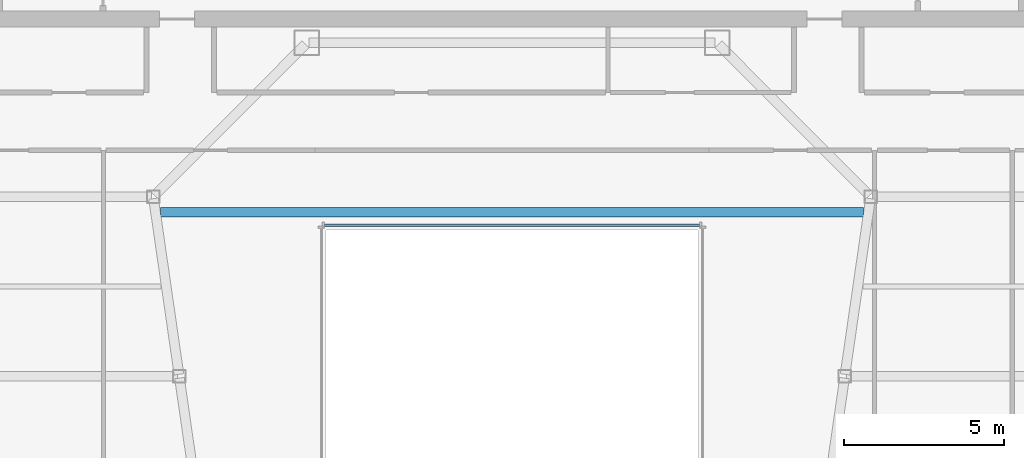
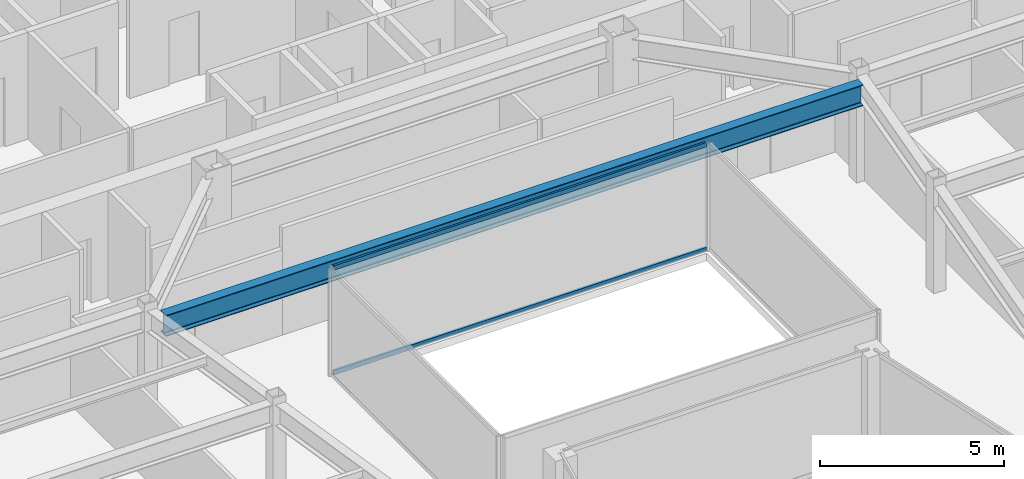
# One storey, part 14 of 36: 2 members, 1 beam, 1 element without a shape of its own.
"""IFC4 building model written with IfcOpenShell, lengths in metres."""

import ifcopenshell
import ifcopenshell.guid

model = None  # the IFC model being written
_history = None  # IfcOwnerHistory: only IFC2X3 demands one
_inside = {}  # id of a spatial element -> (the spatial element, [elements in it])
_under = {}  # id of a project, library or spatial element -> (it, [spatial elements below it])
_declared = {}  # id of a project -> (the project, [libraries it declares])
_typed = {}  # id of a type object -> (the type object, [elements of that type])
_made_of = {}  # id of a material, layer set ... -> (it, [elements and type objects made of it])


def new_model(schema):
    """Start an empty IFC model of exactly this schema.

    Asked for "IFC4X3", IfcOpenShell would pick the latest addendum, in which some entities
    have other attributes; the version numbers below select the first issue.
    IFC2X3 requires an IfcOwnerHistory on every rooted entity: one is made here for all.
    """
    global model, _history
    if schema == "IFC4X3":
        model = ifcopenshell.file(schema_version=(4, 3, 0, 0))
    else:
        model = ifcopenshell.file(schema=schema)
    _inside.clear()
    _under.clear()
    _declared.clear()
    _typed.clear()
    _made_of.clear()
    _history = None
    if model.schema == "IFC2X3":
        org = make("IfcOrganization", Name="unknown")
        user = make(
            "IfcPersonAndOrganization",
            ThePerson=make("IfcPerson", FamilyName="unknown"),
            TheOrganization=org,
        )
        app = make(
            "IfcApplication",
            ApplicationDeveloper=org,
            Version="unknown",
            ApplicationFullName="unknown",
            ApplicationIdentifier="unknown",
        )
        _history = make(
            "IfcOwnerHistory",
            OwningUser=user,
            OwningApplication=app,
            ChangeAction="ADDED",
            CreationDate=0,
        )
    return model


def make(cls, **values):
    """One entity of the class cls with the attributes given. An attribute that is None is left unset."""
    return model.create_entity(
        cls, **{name: value for name, value in values.items() if value is not None}
    )


def rooted(cls, **values):
    """An entity with a GlobalId (a new one), such as an element, a storey or a relation."""
    return make(cls, GlobalId=ifcopenshell.guid.new(), OwnerHistory=_history, **values)


def si_unit(unit_type, name, prefix=None):
    """IfcSIUnit, for example si_unit("LENGTHUNIT", "METRE", prefix="MILLI")."""
    return make("IfcSIUnit", UnitType=unit_type, Prefix=prefix, Name=name)


def assignment(units):
    """IfcUnitAssignment: the units of a project."""
    return None if units is None else make("IfcUnitAssignment", Units=units)


def point(xyz):
    """IfcCartesianPoint."""
    return None if xyz is None else make("IfcCartesianPoint", Coordinates=xyz)


def direction(xyz):
    """IfcDirection."""
    return None if xyz is None else make("IfcDirection", DirectionRatios=xyz)


def frame(location, z_axis=None, x_axis=None):
    """IfcAxis2Placement3D, a coordinate frame: its origin and axes. An axis left out is left unset."""
    return make(
        "IfcAxis2Placement3D",
        Location=point(location),
        Axis=direction(z_axis),
        RefDirection=direction(x_axis),
    )


def frame_2d(location, x_axis=None):
    """IfcAxis2Placement2D, a coordinate frame in the plane: its origin and x axis."""
    return make(
        "IfcAxis2Placement2D", Location=point(location), RefDirection=direction(x_axis)
    )


def origin():
    """The frame at (0, 0, 0) with its axes left unset."""
    return frame((0.0, 0.0, 0.0))


def origin_2d():
    """The frame at (0, 0) in the plane with its x axis left unset."""
    return frame_2d((0.0, 0.0))


def place(relative_to, where):
    """IfcLocalPlacement: puts the frame where relative to a parent placement (None: the world)."""
    return make(
        "IfcLocalPlacement", PlacementRelTo=relative_to, RelativePlacement=where
    )


def context(
    kind, dimensions, precision=None, world=None, true_north=None, identifier=None
):
    """IfcGeometricRepresentationContext, for example the 3D "Model" context."""
    return make(
        "IfcGeometricRepresentationContext",
        ContextIdentifier=identifier,
        ContextType=kind,
        CoordinateSpaceDimension=dimensions,
        Precision=precision,
        WorldCoordinateSystem=world,
        TrueNorth=true_north,
    )


def subcontext(parent, identifier, kind, view, scale=None):
    """IfcGeometricRepresentationSubContext, for example "Body" below "Model"."""
    return make(
        "IfcGeometricRepresentationSubContext",
        ContextIdentifier=identifier,
        ContextType=kind,
        ParentContext=parent,
        TargetScale=scale,
        TargetView=view,
    )


def project(units=None, contexts=None):
    """IfcProject with its units and contexts."""
    return rooted(
        "IfcProject",
        Name="project",
        RepresentationContexts=contexts,
        UnitsInContext=assignment(units),
    )


def spatial(cls, under=None, at=None, **own):
    """A site, building, storey or space (cls), placed at a placement, below another one or the project."""
    s = rooted(cls, ObjectPlacement=at, **own)
    if under is not None:
        _under.setdefault(under.id(), (under, []))[1].append(s)
    return s


def profile(cls, at=None, kind="AREA", **sizes):
    """A parametric profile (cls). Its sizes go by their IFC names, for example OverallWidth=200.0."""
    return make(cls, ProfileType=kind, Position=at, **sizes)


def hollow_rectangle(**sizes):
    """IfcRectangleHollowProfileDef."""
    return profile("IfcRectangleHollowProfileDef", **sizes)


def i_section(**sizes):
    """IfcIShapeProfileDef."""
    return profile("IfcIShapeProfileDef", **sizes)


def extrude(swept, where, along, depth):
    """IfcExtrudedAreaSolid: the profile swept, set in the frame where, extruded along a direction by depth."""
    return make(
        "IfcExtrudedAreaSolid",
        SweptArea=swept,
        Position=where,
        ExtrudedDirection=direction(along),
        Depth=depth,
    )


def shape(context_of_items, identifier, shape_type, items):
    """IfcShapeRepresentation: the items that make up one representation, for example the "Body"."""
    return make(
        "IfcShapeRepresentation",
        ContextOfItems=context_of_items,
        RepresentationIdentifier=identifier,
        RepresentationType=shape_type,
        Items=items,
    )


def material(Name=None, Category=None):
    """IfcMaterial."""
    return make("IfcMaterial", Name=Name, Category=Category)


def material_profile(
    of_material, cross_section, Name=None, Category=None, Priority=None
):
    """IfcMaterialProfile: a cross section and its material."""
    return make(
        "IfcMaterialProfile",
        Name=Name,
        Material=of_material,
        Profile=cross_section,
        Priority=Priority,
        Category=Category,
    )


def profile_set(profiles, Name=None, composite=None):
    """IfcMaterialProfileSet."""
    return make(
        "IfcMaterialProfileSet",
        Name=Name,
        MaterialProfiles=profiles,
        CompositeProfile=composite,
    )


def made_of(thing, what):
    """Note that an element or type object is made of a material, layer set ...; save() writes the relation."""
    if what is not None:
        _made_of.setdefault(what.id(), (what, []))[1].append(thing)
    return thing


def type_object(cls, material=None, **own):
    """A type object (cls), such as IfcWallType, which elements share."""
    return made_of(rooted(cls, **own), material)


def element(
    cls,
    number,
    at=None,
    inside=None,
    cuts=None,
    type_object=None,
    material=None,
    context=None,
    identifier="Body",
    shape_type=None,
    held_by="IfcProductDefinitionShape",
    body=None,
    shapes=None,
    **own,
):
    """One element of the class cls, such as IfcWall. Its Tag is "e" and its number.

    at: its placement. inside: the storey or other place that contains it. cuts: it is an
    opening in that element (IfcRelVoidsElement). A single representation is given by context,
    identifier, shape_type and body (its items); several are given by shapes. held_by: the class
    of the entity that holds the representations. save() writes the other relations.
    """
    e = rooted(cls, Tag="e%d" % number, ObjectPlacement=at, **own)
    if body is not None:
        shapes = [shape(context, identifier, shape_type, body)]
    if shapes is not None:
        e.Representation = make(held_by, Representations=shapes)
    if inside is not None:
        _inside.setdefault(inside.id(), (inside, []))[1].append(e)
    if cuts is not None:
        rooted(
            "IfcRelVoidsElement", RelatingBuildingElement=cuts, RelatedOpeningElement=e
        )
    if type_object is not None:
        _typed.setdefault(type_object.id(), (type_object, []))[1].append(e)
    return made_of(e, material)


def aggregate(whole, parts):
    """IfcRelAggregates: a whole, such as a stair, and the parts it consists of."""
    return rooted("IfcRelAggregates", RelatingObject=whole, RelatedObjects=parts)


def save(model, path):
    """Write the relations noted so far, then the file.

    IfcRelAggregates (storeys below a building ...), IfcRelContainedInSpatialStructure (elements
    in a storey), IfcRelDefinesByType, IfcRelAssociatesMaterial and IfcRelDeclares: one each for
    every whole, place, type object, material and project.
    """
    for whole, parts in _under.values():
        aggregate(whole, parts)
    for where, things in _inside.values():
        rooted(
            "IfcRelContainedInSpatialStructure",
            RelatedElements=things,
            RelatingStructure=where,
        )
    for kind, things in _typed.values():
        rooted("IfcRelDefinesByType", RelatedObjects=things, RelatingType=kind)
    for what, things in _made_of.values():
        rooted("IfcRelAssociatesMaterial", RelatedObjects=things, RelatingMaterial=what)
    for by, libraries in _declared.values():
        rooted("IfcRelDeclares", RelatingContext=by, RelatedDefinitions=libraries)
    model.write(path)


model = new_model("IFC4")

# Units and contexts
model_context = context("Model", 3, precision=1e-05, world=origin(), true_north=direction((0.0, 1.0)))
body_context = subcontext(model_context, "Body", "Model", "MODEL_VIEW")
ifc_project = project(units=[si_unit("LENGTHUNIT", "METRE"), si_unit("AREAUNIT", "SQUARE_METRE"), si_unit("VOLUMEUNIT", "CUBIC_METRE"), si_unit("PLANEANGLEUNIT", "RADIAN"), si_unit("MASSUNIT", "GRAM", prefix="KILO")], contexts=[model_context])

# Site, building, storey
site_placement = place(None, origin())
site = spatial("IfcSite", under=ifc_project, at=site_placement, CompositionType="ELEMENT")
building_placement = place(site_placement, origin())
building = spatial("IfcBuilding", under=site, at=building_placement, Name="Saevonmaru Cultural Tower", CompositionType="ELEMENT")
storey_placement = place(building_placement, frame((0.0, 0.0, 201.800048828125)))
storey = spatial("IfcBuildingStorey", under=building, at=storey_placement, Name="L46", CompositionType="ELEMENT", Elevation=201.800048828125)

# Beam
ifc_material_1 = material(Name="Steel SM355", Category="steel")
ifc_material_profile_1 = material_profile(ifc_material_1, i_section(OverallWidth=0.300048828125, OverallDepth=0.699951171875, WebThickness=0.012939453125, FlangeThickness=0.02392578125, FilletRadius=0.02587890625, at=origin_2d()), Name="H-700x300x13x24")
ifc_profile_set_1 = profile_set([ifc_material_profile_1], Name="Steel SM355")
beam_type = type_object("IfcBeamType", Name="BM-G-H700", PredefinedType="BEAM", material=ifc_profile_set_1)
beam_placement = place(storey_placement, frame((19.035400390625, 37.1201171875, 3.199951171875), z_axis=(1.0, 0.0, 0.0), x_axis=(0.0, 1.0, 0.0)))
element("IfcBeam", 1, at=beam_placement, inside=storey, type_object=beam_type, Name="L46 Central Link Girder", PredefinedType="BEAM", context=body_context, shape_type="SweptSolid", body=[
    extrude(i_section(OverallWidth=0.300048828125, OverallDepth=0.699951171875, WebThickness=0.012939453125, FlangeThickness=0.02392578125, FilletRadius=0.02587890625, at=origin_2d()), origin(), (0.0, 0.0, 1.0), 21.92919921875),
])

# Curtain wall, members
ifc_material_2 = material(Name="Satin Bronze Anodised Aluminium", Category="aluminium")
curtain_wall_type = type_object("IfcCurtainWallType", Name="CW-ATR-GLZ", PredefinedType="NOTDEFINED", material=ifc_material_2)
curtain_wall_placement = place(storey_placement, origin())
curtain_wall = element("IfcCurtainWall", 2, at=curtain_wall_placement, inside=storey, type_object=curtain_wall_type, Name="L46 Vertical Atrium Glazed Smoke Screen 3", PredefinedType="NOTDEFINED")
ifc_material_profile_2 = material_profile(ifc_material_2, hollow_rectangle(XDim=0.06494140625, YDim=0.14990234375, WallThickness=0.00390625, at=origin_2d()), Name="ALU-TRAN-150x65x4")
ifc_profile_set_2 = profile_set([ifc_material_profile_2], Name="Satin Bronze Anodised Aluminium")
member_type = type_object("IfcMemberType", Name="TR-CW-INT-150x65", PredefinedType="USERDEFINED", material=ifc_profile_set_2)
member_1_placement = place(storey_placement, frame((35.857421875, 36.7099609375, 0.032470703125), z_axis=(-1.0, 0.0, 0.0), x_axis=(0.0, -1.0, 0.0)))
member_1 = element("IfcMember", 3, at=member_1_placement, type_object=member_type, Name="CW-ATR-L46-3 transom 1.1", ObjectType="TRANSOM", PredefinedType="USERDEFINED", context=body_context, shape_type="SweptSolid", body=[
    extrude(hollow_rectangle(XDim=0.06494140625, YDim=0.14990234375, WallThickness=0.00390625, at=origin_2d()), origin(), (0.0, 0.0, 1.0), 11.71484375),
])
member_2_placement = place(storey_placement, frame((35.857421875, 36.7099609375, 3.517333984375), z_axis=(-1.0, 0.0, 0.0), x_axis=(0.0, -1.0, 0.0)))
member_2 = element("IfcMember", 4, at=member_2_placement, type_object=member_type, Name="CW-ATR-L46-3 transom 1.2", ObjectType="TRANSOM", PredefinedType="USERDEFINED", context=body_context, shape_type="SweptSolid", body=[
    extrude(hollow_rectangle(XDim=0.06494140625, YDim=0.14990234375, WallThickness=0.00390625, at=origin_2d()), origin(), (0.0, 0.0, 1.0), 11.71484375),
])
aggregate(curtain_wall, [member_1, member_2])

save(model, "model.ifc")
